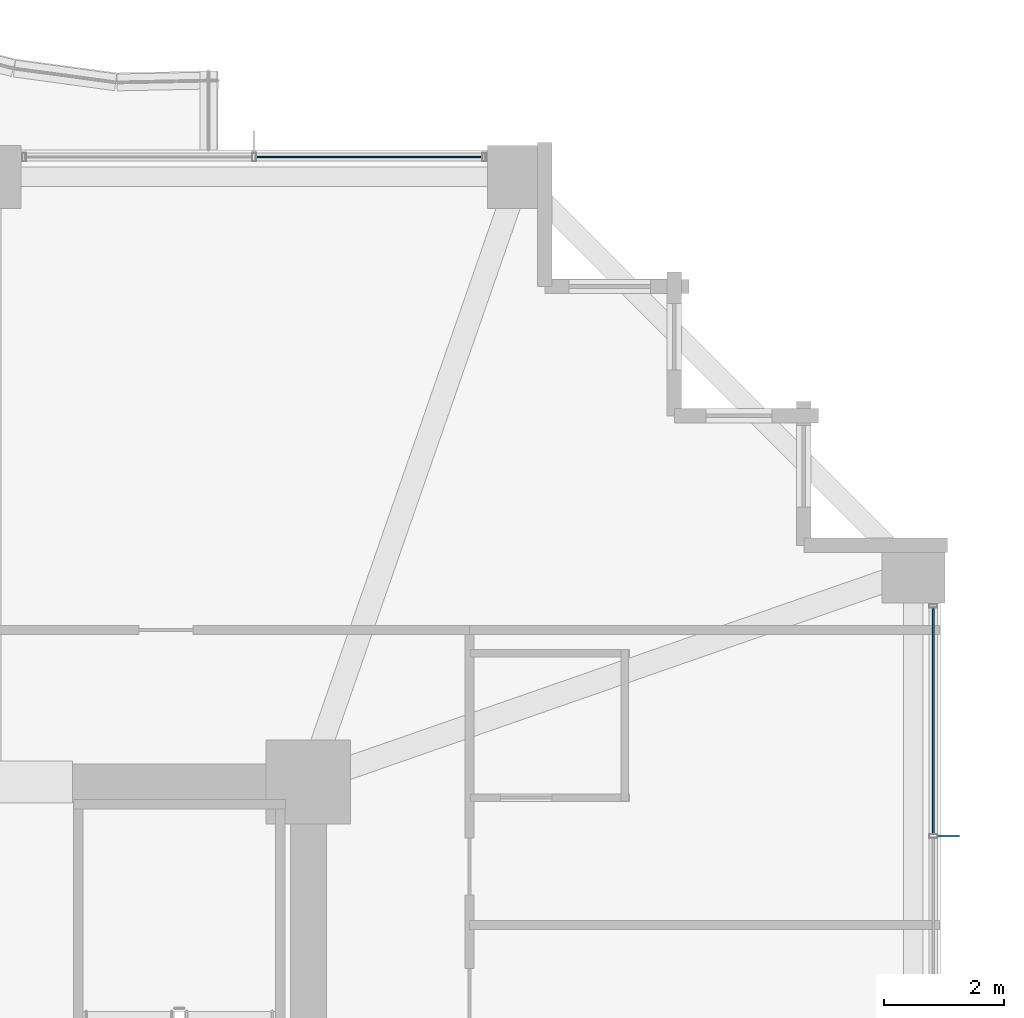
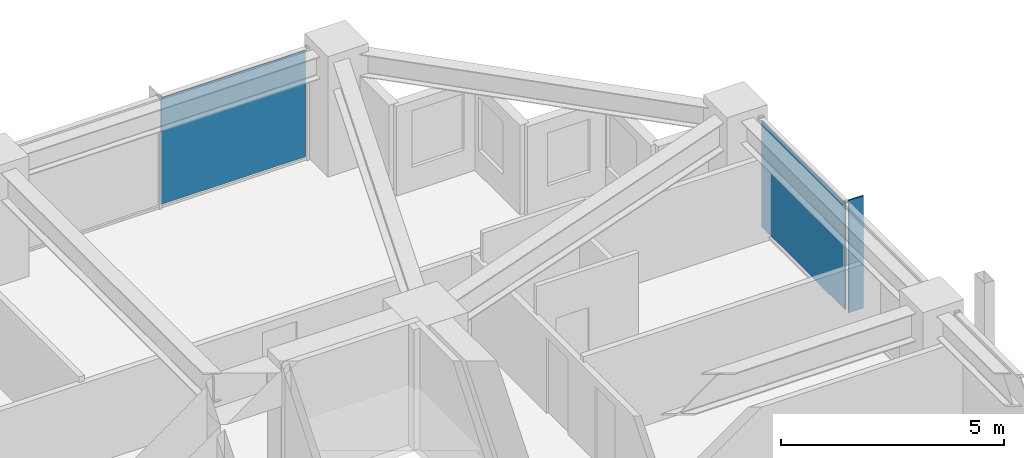
# One storey, part 31 of 38: 3 plates, 2 elements without a shape of their own.
"""IFC4 building model written with IfcOpenShell, lengths in metres."""

from ifc_helpers import new_model, si_unit, direction, frame, origin, origin_2d, place, context, subcontext, project, spatial, rectangle, extrude, material, layer, layer_set, type_object, element, aggregate, save


model = new_model("IFC4")

# Units and contexts
model_context = context("Model", 3, precision=1e-05, world=origin(), true_north=direction((0.0, 1.0)))
body_context = subcontext(model_context, "Body", "Model", "MODEL_VIEW")
ifc_project = project(units=[si_unit("LENGTHUNIT", "METRE"), si_unit("AREAUNIT", "SQUARE_METRE"), si_unit("VOLUMEUNIT", "CUBIC_METRE"), si_unit("PLANEANGLEUNIT", "RADIAN"), si_unit("MASSUNIT", "GRAM", prefix="KILO")], contexts=[model_context])

# Site, building, storey
site_placement = place(None, origin())
site = spatial("IfcSite", under=ifc_project, at=site_placement, CompositionType="ELEMENT")
building_placement = place(site_placement, origin())
building = spatial("IfcBuilding", under=site, at=building_placement, Name="Kolvaren Belvedere", CompositionType="ELEMENT")
storey_placement = place(building_placement, frame((0.0, 0.0, 72.199951171875)))
storey = spatial("IfcBuildingStorey", under=building, at=storey_placement, Name="L20", CompositionType="ELEMENT", Elevation=72.199951171875)

# Curtain wall, plate
ifc_material_1 = material(Name="Anodised pale-metal aluminium AA 6063-T6", Category="aluminium")
curtain_wall_type = type_object("IfcCurtainWallType", Name="CW-Z2-MID", PredefinedType="NOTDEFINED", material=ifc_material_1)
curtain_wall_1_placement = place(storey_placement, origin())
curtain_wall_1 = element("IfcCurtainWall", 1, at=curtain_wall_1_placement, inside=storey, type_object=curtain_wall_type, Name="L20 Unitised Curtain Wall FCW-L20-E-B1", PredefinedType="NOTDEFINED")
ifc_material_2 = material(Name="Low-iron triple insulated glass", Category="glass")
ifc_layer_1 = layer(ifc_material_2, 0.028076171875)
ifc_layer_set_1 = layer_set([ifc_layer_1], Name="Low-iron triple insulated glass")
plate_type_1 = type_object("IfcPlateType", Name="CW-PNL-VIS28", PredefinedType="CURTAIN_PANEL", material=ifc_layer_set_1)
plate_1_placement = place(storey_placement, frame((20.280029296875, 10.9111328125, 0.080078125), z_axis=(0.0, 0.0, 1.0), x_axis=(0.0, -1.0, 0.0)))
plate_1 = element("IfcPlate", 2, at=plate_1_placement, type_object=plate_type_1, Name="FCW-L20-E-B1 Vision Glazing Panel 1", PredefinedType="CURTAIN_PANEL", context=body_context, shape_type="SweptSolid", body=[
    extrude(rectangle(XDim=3.742431640625, YDim=0.028076171875, at=origin_2d()), origin(), (0.0, 0.0, 1.0), 2.919921875),
])
aggregate(curtain_wall_1, [plate_1])

curtain_wall_2_placement = place(storey_placement, origin())
curtain_wall_2 = element("IfcCurtainWall", 3, at=curtain_wall_2_placement, inside=storey, type_object=curtain_wall_type, Name="L20 Unitised Curtain Wall FCW-L20-N2-B2", PredefinedType="NOTDEFINED")
plate_2_placement = place(storey_placement, frame((10.9111328125, 20.280029296875, 0.080078125), z_axis=(0.0, 0.0, 1.0), x_axis=(1.0, 0.0, 0.0)))
plate_2 = element("IfcPlate", 4, at=plate_2_placement, type_object=plate_type_1, Name="FCW-L20-N2-B2 Vision Glazing Panel 2", PredefinedType="CURTAIN_PANEL", context=body_context, shape_type="SweptSolid", body=[
    extrude(rectangle(XDim=3.742431640625, YDim=0.028076171875, at=origin_2d()), origin(), (0.0, 0.0, 1.0), 2.919921875),
])
aggregate(curtain_wall_2, [plate_2])

# Plate
ifc_material_3 = material(Name="Anodised pale-metal aluminium AA 6063-T6", Category="aluminium")
ifc_layer_2 = layer(ifc_material_3, 0.033935546875)
ifc_layer_set_2 = layer_set([ifc_layer_2], Name="Anodised pale-metal aluminium AA 6063-T6")
plate_type_2 = type_object("IfcPlateType", Name="FIN-VERT-380", PredefinedType="USERDEFINED", material=ifc_layer_set_2)
plate_3_placement = place(storey_placement, frame((20.52490234375, 9.0, 0.0), z_axis=(0.0, 0.0, 1.0), x_axis=(1.0, 0.0, 0.0)))
element("IfcPlate", 5, at=plate_3_placement, inside=storey, type_object=plate_type_2, Name="L20 Pale-Metal Vertical Shading Fin FCW-L20-E-B1-1", ObjectType="VERTICAL FIN", PredefinedType="USERDEFINED", context=body_context, shape_type="SweptSolid", body=[
    extrude(rectangle(XDim=0.3798828125, YDim=0.033935546875, at=origin_2d()), origin(), (0.0, 0.0, 1.0), 3.080078125),
])

save(model, "model.ifc")
